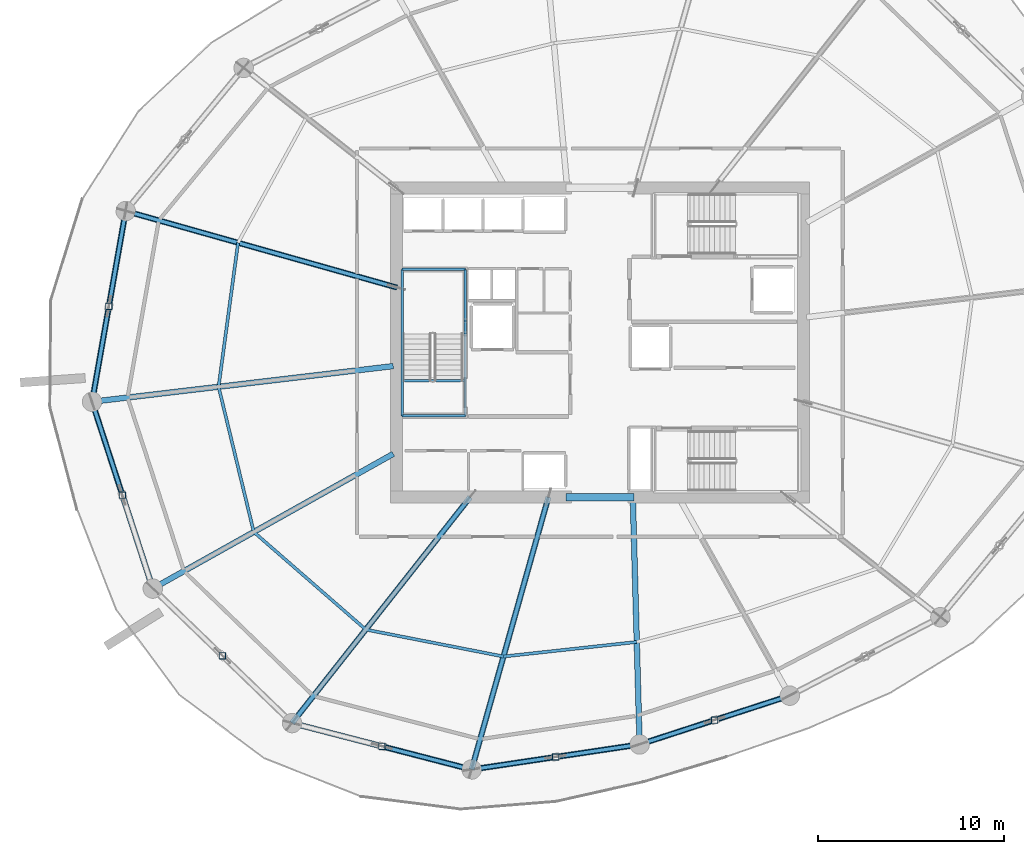
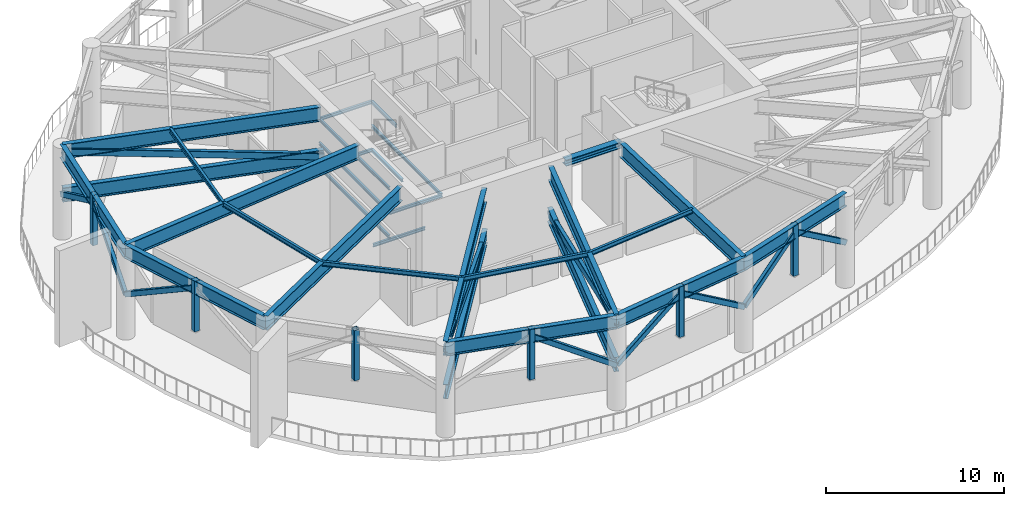
# One storey, part 5 of 20: 30 beams, 17 members.
"""IFC4 building model written with IfcOpenShell, lengths in metres."""

from ifc_helpers import new_model, si_unit, direction, frame, origin, origin_2d, place, context, subcontext, project, spatial, hollow_rectangle, i_section, extrude, material, material_profile, profile_set, type_object, element, save


model = new_model("IFC4")

# Units and contexts
model_context = context("Model", 3, precision=1e-05, world=origin(), true_north=direction((0.0, 1.0)))
body_context = subcontext(model_context, "Body", "Model", "MODEL_VIEW")
ifc_project = project(units=[si_unit("LENGTHUNIT", "METRE"), si_unit("AREAUNIT", "SQUARE_METRE"), si_unit("VOLUMEUNIT", "CUBIC_METRE"), si_unit("PLANEANGLEUNIT", "RADIAN"), si_unit("MASSUNIT", "GRAM", prefix="KILO")], contexts=[model_context])

# Site, building, storey
site_placement = place(None, origin())
site = spatial("IfcSite", under=ifc_project, at=site_placement, CompositionType="ELEMENT")
building_placement = place(site_placement, origin())
building = spatial("IfcBuilding", under=site, at=building_placement, Name="Kazma Halo Residences", CompositionType="ELEMENT")
storey_placement = place(building_placement, frame((0.0, 0.0, 225.300048828125)))
storey = spatial("IfcBuildingStorey", under=building, at=storey_placement, Name="L57", CompositionType="ELEMENT", Elevation=225.300048828125)

# Beams
ifc_material = material(Name="Steel S355", Category="steel")
ifc_material_profile_1 = material_profile(ifc_material, i_section(OverallWidth=0.30908203125, OverallDepth=0.931884765625, WebThickness=0.02099609375, FlangeThickness=0.034423828125, FilletRadius=0.02392578125, at=origin_2d()), Name="W920x313")
ifc_profile_set_1 = profile_set([ifc_material_profile_1], Name="Steel S355")
beam_type_1 = type_object("IfcBeamType", Name="BM-BELT-W920A", PredefinedType="BEAM", material=ifc_profile_set_1)
beam_1_placement = place(storey_placement, frame((22.89453125, 49.080322265625, 5.81396484375), z_axis=(-0.173635695552, -0.984809953864, 0.0), x_axis=(0.984809953864, -0.173635695552, 0.0)))
element("IfcBeam", 1, at=beam_1_placement, inside=storey, type_object=beam_type_1, Name="L57 perimeter ring beam 07", PredefinedType="BEAM", context=body_context, shape_type="SweptSolid", body=[
    extrude(i_section(OverallWidth=0.30908203125, OverallDepth=0.931884765625, WebThickness=0.02099609375, FlangeThickness=0.034423828125, FilletRadius=0.02392578125, at=origin_2d()), origin(), (0.0, 0.0, 1.0), 10.424560546875),
])
beam_2_placement = place(storey_placement, frame((21.08447265625, 38.814208984375, 5.81396484375), z_axis=(0.309008812801, -0.951059174611, 0.0), x_axis=(0.951059174611, 0.309008812801, 0.0)))
element("IfcBeam", 2, at=beam_2_placement, inside=storey, type_object=beam_type_1, Name="L57 perimeter ring beam 08", PredefinedType="BEAM", context=body_context, shape_type="SweptSolid", body=[
    extrude(i_section(OverallWidth=0.30908203125, OverallDepth=0.931884765625, WebThickness=0.02099609375, FlangeThickness=0.034423828125, FilletRadius=0.02392578125, at=origin_2d()), origin(), (0.0, 0.0, 1.0), 10.5751953125),
])
beam_3_placement = place(storey_placement, frame((31.85107421875, 21.51513671875, 5.81396484375), z_axis=(0.968126571525, -0.25046145713, 0.0), x_axis=(0.25046145713, 0.968126571525, 0.0)))
element("IfcBeam", 3, at=beam_3_placement, inside=storey, type_object=beam_type_1, Name="L57 perimeter ring beam 10", PredefinedType="BEAM", context=body_context, shape_type="SweptSolid", body=[
    extrude(i_section(OverallWidth=0.30908203125, OverallDepth=0.931884765625, WebThickness=0.02099609375, FlangeThickness=0.034423828125, FilletRadius=0.02392578125, at=origin_2d()), origin(), (0.0, 0.0, 1.0), 9.984619140625),
])
beam_4_placement = place(storey_placement, frame((41.517333984375, 19.014404296875, 5.81396484375), z_axis=(0.989035230402, 0.147679765114, 0.0), x_axis=(-0.147679765114, 0.989035230402, 0.0)))
element("IfcBeam", 4, at=beam_4_placement, inside=storey, type_object=beam_type_1, Name="L57 perimeter ring beam 11", PredefinedType="BEAM", context=body_context, shape_type="SweptSolid", body=[
    extrude(i_section(OverallWidth=0.30908203125, OverallDepth=0.931884765625, WebThickness=0.02099609375, FlangeThickness=0.034423828125, FilletRadius=0.02392578125, at=origin_2d()), origin(), (0.0, 0.0, 1.0), 9.143798828125),
])
beam_5_placement = place(storey_placement, frame((50.560791015625, 20.36474609375, 5.81396484375), z_axis=(0.951051374236, 0.309032819556, 0.0), x_axis=(-0.309032819556, 0.951051374236, 0.0)))
element("IfcBeam", 5, at=beam_5_placement, inside=storey, type_object=beam_type_1, Name="L57 perimeter ring beam 12", PredefinedType="BEAM", context=body_context, shape_type="SweptSolid", body=[
    extrude(i_section(OverallWidth=0.30908203125, OverallDepth=0.931884765625, WebThickness=0.02099609375, FlangeThickness=0.034423828125, FilletRadius=0.02392578125, at=origin_2d()), origin(), (0.0, 0.0, 1.0), 8.50048828125),
])
ifc_material_profile_2 = material_profile(ifc_material, i_section(OverallWidth=0.408935546875, OverallDepth=0.425048828125, WebThickness=0.03271484375, FlangeThickness=0.052490234375, FilletRadius=0.02001953125, at=origin_2d()), Name="W360x421")
ifc_profile_set_2 = profile_set([ifc_material_profile_2], Name="Steel S355")
beam_type_2 = type_object("IfcBeamType", Name="BM-CORE-W360H", PredefinedType="BEAM", material=ifc_profile_set_2)
beam_6_placement = place(storey_placement, frame((46.60009765625, 33.675048828125, 6.0673828125), z_axis=(1.0, 0.0, 0.0), x_axis=(0.0, 1.0, 0.0)))
element("IfcBeam", 6, at=beam_6_placement, inside=storey, type_object=beam_type_2, Name="L57 core coupling beam S", PredefinedType="BEAM", context=body_context, shape_type="SweptSolid", body=[
    extrude(i_section(OverallWidth=0.408935546875, OverallDepth=0.425048828125, WebThickness=0.03271484375, FlangeThickness=0.052490234375, FilletRadius=0.02001953125, at=origin_2d()), origin(), (0.0, 0.0, 1.0), 3.64990234375),
])
ifc_material_profile_3 = material_profile(ifc_material, i_section(OverallWidth=0.300048828125, OverallDepth=0.98193359375, WebThickness=0.0166015625, FlangeThickness=0.032958984375, FilletRadius=0.02587890625, at=origin_2d()), Name="W1000x296")
ifc_profile_set_3 = profile_set([ifc_material_profile_3], Name="Steel S355")
beam_type_3 = type_object("IfcBeamType", Name="BM-OUTR-W1000C", PredefinedType="BEAM", material=ifc_profile_set_3)
beam_7_placement = place(storey_placement, frame((37.300048828125, 45.017578125, 5.7890625), z_axis=(-0.962455795011, 0.271438469363, 0.0), x_axis=(-0.271438469363, -0.962455795011, 0.0)))
element("IfcBeam", 7, at=beam_7_placement, inside=storey, type_object=beam_type_3, Name="L57 radial floor beam 07", PredefinedType="BEAM", context=body_context, shape_type="SweptSolid", body=[
    extrude(i_section(OverallWidth=0.300048828125, OverallDepth=0.98193359375, WebThickness=0.0166015625, FlangeThickness=0.032958984375, FilletRadius=0.02587890625, at=origin_2d()), origin(), (0.0, 0.0, 1.0), 14.967529296875),
])
beam_8_placement = place(storey_placement, frame((37.300048828125, 40.733642578125, 5.7890625), z_axis=(-0.993067072421, -0.117549094738, 0.0), x_axis=(0.117549094738, -0.993067072421, 0.0)))
element("IfcBeam", 8, at=beam_8_placement, inside=storey, type_object=beam_type_3, Name="L57 radial floor beam 08", PredefinedType="BEAM", context=body_context, shape_type="SweptSolid", body=[
    extrude(i_section(OverallWidth=0.300048828125, OverallDepth=0.98193359375, WebThickness=0.0166015625, FlangeThickness=0.032958984375, FilletRadius=0.02587890625, at=origin_2d()), origin(), (0.0, 0.0, 1.0), 16.328857421875),
])
beam_9_placement = place(storey_placement, frame((37.300048828125, 36.0078125, 5.7890625), z_axis=(-0.87249226923, -0.488627915835, 0.0), x_axis=(0.488627915835, -0.87249226923, 0.0)))
element("IfcBeam", 9, at=beam_9_placement, inside=storey, type_object=beam_type_3, Name="L57 radial floor beam 09", PredefinedType="BEAM", context=body_context, shape_type="SweptSolid", body=[
    extrude(i_section(OverallWidth=0.300048828125, OverallDepth=0.98193359375, WebThickness=0.0166015625, FlangeThickness=0.032958984375, FilletRadius=0.02587890625, at=origin_2d()), origin(), (0.0, 0.0, 1.0), 14.83984375),
])
beam_10_placement = place(storey_placement, frame((41.299072265625, 33.5, 5.7890625), z_axis=(-0.619089651904, -0.785320318663, 0.0), x_axis=(0.785320318663, -0.619089651904, 0.0)))
element("IfcBeam", 10, at=beam_10_placement, inside=storey, type_object=beam_type_3, Name="L57 radial floor beam 10", PredefinedType="BEAM", context=body_context, shape_type="SweptSolid", body=[
    extrude(i_section(OverallWidth=0.300048828125, OverallDepth=0.98193359375, WebThickness=0.0166015625, FlangeThickness=0.032958984375, FilletRadius=0.02587890625, at=origin_2d()), origin(), (0.0, 0.0, 1.0), 15.26123046875),
])
beam_11_placement = place(storey_placement, frame((45.602783203125, 33.5, 5.7890625), z_axis=(-0.27144590968, -0.96245369661, 0.0), x_axis=(0.96245369661, -0.27144590968, 0.0)))
element("IfcBeam", 11, at=beam_11_placement, inside=storey, type_object=beam_type_3, Name="L57 radial floor beam 11", PredefinedType="BEAM", context=body_context, shape_type="SweptSolid", body=[
    extrude(i_section(OverallWidth=0.300048828125, OverallDepth=0.98193359375, WebThickness=0.0166015625, FlangeThickness=0.032958984375, FilletRadius=0.02587890625, at=origin_2d()), origin(), (0.0, 0.0, 1.0), 15.05078125),
])
beam_12_placement = place(storey_placement, frame((50.199951171875, 33.5, 5.7890625), z_axis=(0.027460737906, -0.999622882828, 0.0), x_axis=(0.999622882828, 0.027460737906, 0.0)))
element("IfcBeam", 12, at=beam_12_placement, inside=storey, type_object=beam_type_3, Name="L57 radial floor beam 12", PredefinedType="BEAM", context=body_context, shape_type="SweptSolid", body=[
    extrude(i_section(OverallWidth=0.300048828125, OverallDepth=0.98193359375, WebThickness=0.0166015625, FlangeThickness=0.032958984375, FilletRadius=0.02587890625, at=origin_2d()), origin(), (0.0, 0.0, 1.0), 13.14013671875),
])
beam_13_placement = place(storey_placement, frame((37.47509765625, 44.968505859375, 2.820068359375), z_axis=(-0.962460903143, 0.271420356497, 0.0), x_axis=(-0.271420356497, -0.962460903143, 0.0)))
element("IfcBeam", 13, at=beam_13_placement, inside=storey, type_object=beam_type_3, Name="L57 radial outrigger bottom chord 04", PredefinedType="BEAM", context=body_context, shape_type="SweptSolid", body=[
    extrude(i_section(OverallWidth=0.300048828125, OverallDepth=0.98193359375, WebThickness=0.0166015625, FlangeThickness=0.032958984375, FilletRadius=0.02587890625, at=origin_2d()), origin(), (0.0, 0.0, 1.0), 15.149169921875),
])
beam_14_placement = place(storey_placement, frame((41.43701171875, 33.675048828125, 2.820068359375), z_axis=(-0.61908740697, -0.785322088401, 0.0), x_axis=(0.785322088401, -0.61908740697, 0.0)))
element("IfcBeam", 14, at=beam_14_placement, inside=storey, type_object=beam_type_3, Name="L57 radial outrigger bottom chord 05", PredefinedType="BEAM", context=body_context, shape_type="SweptSolid", body=[
    extrude(i_section(OverallWidth=0.300048828125, OverallDepth=0.98193359375, WebThickness=0.0166015625, FlangeThickness=0.032958984375, FilletRadius=0.02587890625, at=origin_2d()), origin(), (0.0, 0.0, 1.0), 15.48388671875),
])
beam_15_placement = place(storey_placement, frame((45.652099609375, 33.675048828125, 2.820068359375), z_axis=(-0.271442653752, -0.962454614891, 0.0), x_axis=(0.962454614891, -0.271442653752, 0.0)))
element("IfcBeam", 15, at=beam_15_placement, inside=storey, type_object=beam_type_3, Name="L57 radial outrigger bottom chord 06", PredefinedType="BEAM", context=body_context, shape_type="SweptSolid", body=[
    extrude(i_section(OverallWidth=0.300048828125, OverallDepth=0.98193359375, WebThickness=0.0166015625, FlangeThickness=0.032958984375, FilletRadius=0.02587890625, at=origin_2d()), origin(), (0.0, 0.0, 1.0), 15.232666015625),
])
ifc_material_profile_4 = material_profile(ifc_material, i_section(OverallWidth=0.1650390625, OverallDepth=0.31005859375, WebThickness=0.005859375, FlangeThickness=0.009765625, FilletRadius=0.011962890625, at=origin_2d()), Name="W310x38.7")
ifc_profile_set_4 = profile_set([ifc_material_profile_4], Name="Steel S355")
beam_type_4 = type_object("IfcBeamType", Name="BM-SEC-W310B", PredefinedType="JOIST", material=ifc_profile_set_4)
beam_16_placement = place(storey_placement, frame((28.94482421875, 47.3740234375, 6.125), z_axis=(-0.134170488154, -0.990958263555, 0.0), x_axis=(0.990958263555, -0.134170488154, 0.0)))
element("IfcBeam", 16, at=beam_16_placement, inside=storey, type_object=beam_type_4, Name="L57 circumferential floor joist 07", PredefinedType="JOIST", context=body_context, shape_type="SweptSolid", body=[
    extrude(i_section(OverallWidth=0.1650390625, OverallDepth=0.31005859375, WebThickness=0.005859375, FlangeThickness=0.009765625, FilletRadius=0.011962890625, at=origin_2d()), origin(), (0.0, 0.0, 1.0), 7.824462890625),
])
beam_17_placement = place(storey_placement, frame((27.89501953125, 39.620361328125, 6.125), z_axis=(0.235588734072, -0.971852842964, 0.0), x_axis=(0.971852842964, 0.235588734072, 0.0)))
element("IfcBeam", 17, at=beam_17_placement, inside=storey, type_object=beam_type_4, Name="L57 circumferential floor joist 08", PredefinedType="JOIST", context=body_context, shape_type="SweptSolid", body=[
    extrude(i_section(OverallWidth=0.1650390625, OverallDepth=0.31005859375, WebThickness=0.005859375, FlangeThickness=0.009765625, FilletRadius=0.011962890625, at=origin_2d()), origin(), (0.0, 0.0, 1.0), 8.044677734375),
])
beam_18_placement = place(storey_placement, frame((29.790283203125, 31.802001953125, 6.125), z_axis=(0.753953786557, -0.656927460026, 0.0), x_axis=(0.656927460026, 0.753953786557, 0.0)))
element("IfcBeam", 18, at=beam_18_placement, inside=storey, type_object=beam_type_4, Name="L57 circumferential floor joist 09", PredefinedType="JOIST", context=body_context, shape_type="SweptSolid", body=[
    extrude(i_section(OverallWidth=0.1650390625, OverallDepth=0.31005859375, WebThickness=0.005859375, FlangeThickness=0.009765625, FilletRadius=0.011962890625, at=origin_2d()), origin(), (0.0, 0.0, 1.0), 7.99658203125),
])
beam_19_placement = place(storey_placement, frame((35.8193359375, 26.548828125, 6.125), z_axis=(0.981396096727, -0.191994013786, 0.0), x_axis=(0.191994013786, 0.981396096727, 0.0)))
element("IfcBeam", 19, at=beam_19_placement, inside=storey, type_object=beam_type_4, Name="L57 circumferential floor joist 10", PredefinedType="JOIST", context=body_context, shape_type="SweptSolid", body=[
    extrude(i_section(OverallWidth=0.1650390625, OverallDepth=0.31005859375, WebThickness=0.005859375, FlangeThickness=0.009765625, FilletRadius=0.011962890625, at=origin_2d()), origin(), (0.0, 0.0, 1.0), 7.5546875),
])
beam_20_placement = place(storey_placement, frame((43.2333984375, 25.098388671875, 6.125), z_axis=(0.994096341122, 0.108500988783, 0.0), x_axis=(-0.108500988783, 0.994096341122, 0.0)))
element("IfcBeam", 20, at=beam_20_placement, inside=storey, type_object=beam_type_4, Name="L57 circumferential floor joist 11", PredefinedType="JOIST", context=body_context, shape_type="SweptSolid", body=[
    extrude(i_section(OverallWidth=0.1650390625, OverallDepth=0.31005859375, WebThickness=0.005859375, FlangeThickness=0.009765625, FilletRadius=0.011962890625, at=origin_2d()), origin(), (0.0, 0.0, 1.0), 7.218505859375),
])
ifc_material_profile_5 = material_profile(ifc_material, i_section(OverallWidth=0.133056640625, OverallDepth=0.20703125, WebThickness=0.005859375, FlangeThickness=0.00830078125, FilletRadius=0.010009765625, at=origin_2d()), Name="W200x26.6")
ifc_profile_set_5 = profile_set([ifc_material_profile_5], Name="Steel S355")
beam_type_5 = type_object("IfcBeamType", Name="BM-TRIM-W200", PredefinedType="BEAM", material=ifc_profile_set_5)
beam_21_placement = place(storey_placement, frame((37.800048828125, 39.949951171875, -0.39013671875), z_axis=(1.0, 0.0, 0.0), x_axis=(0.0, 1.0, 0.0)))
element("IfcBeam", 21, at=beam_21_placement, inside=storey, type_object=beam_type_5, Name="L57 ST-01 floor landing support beam", PredefinedType="BEAM", context=body_context, shape_type="SweptSolid", body=[
    extrude(i_section(OverallWidth=0.133056640625, OverallDepth=0.20703125, WebThickness=0.005859375, FlangeThickness=0.00830078125, FilletRadius=0.010009765625, at=origin_2d()), origin(), (0.0, 0.0, 1.0), 3.3798828125),
])
beam_22_placement = place(storey_placement, frame((37.780029296875, 38.06005859375, 1.344970703125), z_axis=(0.0, 1.0, 0.0), x_axis=(-1.0, 0.0, 0.0)))
element("IfcBeam", 22, at=beam_22_placement, inside=storey, type_object=beam_type_5, Name="L57 ST-01 landing west wall ledger", PredefinedType="BEAM", context=body_context, shape_type="SweptSolid", body=[
    extrude(i_section(OverallWidth=0.133056640625, OverallDepth=0.20703125, WebThickness=0.005859375, FlangeThickness=0.00830078125, FilletRadius=0.010009765625, at=origin_2d()), origin(), (0.0, 0.0, 1.0), 7.8798828125),
])
beam_23_placement = place(storey_placement, frame((41.179931640625, 42.469970703125, 1.344970703125), z_axis=(0.0, 1.0, 0.0), x_axis=(-1.0, 0.0, 0.0)))
element("IfcBeam", 23, at=beam_23_placement, inside=storey, type_object=beam_type_5, Name="L57 ST-01 landing east wall ledger", PredefinedType="BEAM", context=body_context, shape_type="SweptSolid", body=[
    extrude(i_section(OverallWidth=0.133056640625, OverallDepth=0.20703125, WebThickness=0.005859375, FlangeThickness=0.00830078125, FilletRadius=0.010009765625, at=origin_2d()), origin(), (0.0, 0.0, 1.0), 3.469970703125),
])
beam_24_placement = place(storey_placement, frame((37.780029296875, 45.93994140625, 1.344970703125), z_axis=(1.0, 0.0, 0.0), x_axis=(0.0, 1.0, 0.0)))
element("IfcBeam", 24, at=beam_24_placement, inside=storey, type_object=beam_type_5, Name="L57 ST-01 landing end wall ledger", PredefinedType="BEAM", context=body_context, shape_type="SweptSolid", body=[
    extrude(i_section(OverallWidth=0.133056640625, OverallDepth=0.20703125, WebThickness=0.005859375, FlangeThickness=0.00830078125, FilletRadius=0.010009765625, at=origin_2d()), origin(), (0.0, 0.0, 1.0), 3.39990234375),
])
for number, where, z_axis, x_axis, name in (
    (25, (37.780029296875, 38.06005859375, 2.994873046875), (0.0, 1.0, 0.0), (-1.0, 0.0, 0.0), "L57 ST-01 landing west wall ledger"),
    (26, (41.179931640625, 38.06005859375, 2.994873046875), (0.0, 1.0, 0.0), (-1.0, 0.0, 0.0), "L57 ST-01 landing east wall ledger"),
):
    element("IfcBeam", number, at=place(storey_placement, frame(where, z_axis=z_axis, x_axis=x_axis)), inside=storey, type_object=beam_type_5, Name=name, PredefinedType="BEAM", context=body_context, shape_type="SweptSolid", body=[
        extrude(i_section(OverallWidth=0.133056640625, OverallDepth=0.20703125, WebThickness=0.005859375, FlangeThickness=0.00830078125, FilletRadius=0.010009765625, at=origin_2d()), origin(), (0.0, 0.0, 1.0), 7.8798828125),
    ])
beam_25_placement = place(storey_placement, frame((37.780029296875, 38.06005859375, 2.994873046875), z_axis=(1.0, 0.0, 0.0), x_axis=(0.0, 1.0, 0.0)))
element("IfcBeam", 27, at=beam_25_placement, inside=storey, type_object=beam_type_5, Name="L57 ST-01 landing end wall ledger", PredefinedType="BEAM", context=body_context, shape_type="SweptSolid", body=[
    extrude(i_section(OverallWidth=0.133056640625, OverallDepth=0.20703125, WebThickness=0.005859375, FlangeThickness=0.00830078125, FilletRadius=0.010009765625, at=origin_2d()), origin(), (0.0, 0.0, 1.0), 3.39990234375),
])
beam_26_placement = place(storey_placement, frame((37.780029296875, 38.06005859375, 4.64501953125), z_axis=(0.0, 1.0, 0.0), x_axis=(-1.0, 0.0, 0.0)))
element("IfcBeam", 28, at=beam_26_placement, inside=storey, type_object=beam_type_5, Name="L57 ST-01 landing west wall ledger", PredefinedType="BEAM", context=body_context, shape_type="SweptSolid", body=[
    extrude(i_section(OverallWidth=0.133056640625, OverallDepth=0.20703125, WebThickness=0.005859375, FlangeThickness=0.00830078125, FilletRadius=0.010009765625, at=origin_2d()), origin(), (0.0, 0.0, 1.0), 7.8798828125),
])
beam_27_placement = place(storey_placement, frame((41.179931640625, 43.169921875, 4.64501953125), z_axis=(0.0, 1.0, 0.0), x_axis=(-1.0, 0.0, 0.0)))
element("IfcBeam", 29, at=beam_27_placement, inside=storey, type_object=beam_type_5, Name="L57 ST-01 landing east wall ledger", PredefinedType="BEAM", context=body_context, shape_type="SweptSolid", body=[
    extrude(i_section(OverallWidth=0.133056640625, OverallDepth=0.20703125, WebThickness=0.005859375, FlangeThickness=0.00830078125, FilletRadius=0.010009765625, at=origin_2d()), origin(), (0.0, 0.0, 1.0), 2.77001953125),
])
beam_28_placement = place(storey_placement, frame((37.780029296875, 45.93994140625, 4.64501953125), z_axis=(1.0, 0.0, 0.0), x_axis=(0.0, 1.0, 0.0)))
element("IfcBeam", 30, at=beam_28_placement, inside=storey, type_object=beam_type_5, Name="L57 ST-01 landing end wall ledger", PredefinedType="BEAM", context=body_context, shape_type="SweptSolid", body=[
    extrude(i_section(OverallWidth=0.133056640625, OverallDepth=0.20703125, WebThickness=0.005859375, FlangeThickness=0.00830078125, FilletRadius=0.010009765625, at=origin_2d()), origin(), (0.0, 0.0, 1.0), 3.39990234375),
])

# Members
ifc_material_profile_6 = material_profile(ifc_material, hollow_rectangle(XDim=0.25, YDim=0.35009765625, WallThickness=0.01611328125, InnerFilletRadius=0.01611328125, OuterFilletRadius=0.031982421875, at=origin_2d()), Name="RHS350x250x16")
ifc_profile_set_6 = profile_set([ifc_material_profile_6], Name="Steel S355")
member_type_1 = type_object("IfcMemberType", Name="MBR-BELT-RHS350", PredefinedType="BRACE", material=ifc_profile_set_6)
member_1_placement = place(storey_placement, frame((22.89453125, 49.080322265625, 2.820068359375), z_axis=(-0.15124186127, -0.857757996048, 0.491301454928), x_axis=(0.984808541572, -0.173643705461, 0.0)))
element("IfcMember", 31, at=member_1_placement, inside=storey, type_object=member_type_1, Name="L57 belt-truss chevron diagonal 07A", PredefinedType="BRACE", context=body_context, shape_type="SweptSolid", body=[
    extrude(hollow_rectangle(XDim=0.25, YDim=0.35009765625, WallThickness=0.01611328125, InnerFilletRadius=0.01611328125, OuterFilletRadius=0.031982421875, at=origin_2d()), origin(), (0.0, 0.0, 1.0), 5.98388671875),
])
member_2_placement = place(storey_placement, frame((21.08447265625, 38.814208984375, 2.820068359375), z_axis=(0.15123127626, 0.857779556151, 0.491267070064), x_axis=(-0.984811365961, 0.17362768637, 0.0)))
element("IfcMember", 32, at=member_2_placement, inside=storey, type_object=member_type_1, Name="L57 belt-truss chevron diagonal 07B", PredefinedType="BRACE", context=body_context, shape_type="SweptSolid", body=[
    extrude(hollow_rectangle(XDim=0.25, YDim=0.35009765625, WallThickness=0.01611328125, InnerFilletRadius=0.01611328125, OuterFilletRadius=0.031982421875, at=origin_2d()), origin(), (0.0, 0.0, 1.0), 5.984375),
])
member_3_placement = place(storey_placement, frame((21.08447265625, 38.814208984375, 2.820068359375), z_axis=(0.270089107315, -0.831211031297, 0.48594248174), x_axis=(0.951052389726, 0.30902969436, 0.0)))
element("IfcMember", 33, at=member_3_placement, inside=storey, type_object=member_type_1, Name="L57 belt-truss chevron diagonal 08A", PredefinedType="BRACE", context=body_context, shape_type="SweptSolid", body=[
    extrude(hollow_rectangle(XDim=0.25, YDim=0.35009765625, WallThickness=0.01611328125, InnerFilletRadius=0.01611328125, OuterFilletRadius=0.031982421875, at=origin_2d()), origin(), (0.0, 0.0, 1.0), 6.050048828125),
])
member_4_placement = place(storey_placement, frame((41.517333984375, 19.014404296875, 2.820068359375), z_axis=(-0.834221204297, 0.21583477337, 0.507435052894), x_axis=(-0.25047844558, -0.968122176329, 0.0)))
element("IfcMember", 34, at=member_4_placement, inside=storey, type_object=member_type_1, Name="L57 belt-truss chevron diagonal 10B", PredefinedType="BRACE", context=body_context, shape_type="SweptSolid", body=[
    extrude(hollow_rectangle(XDim=0.25, YDim=0.35009765625, WallThickness=0.01611328125, InnerFilletRadius=0.01611328125, OuterFilletRadius=0.031982421875, at=origin_2d()), origin(), (0.0, 0.0, 1.0), 5.793701171875),
])
for number, where, z_axis, x_axis, name in (
    (35, (41.517333984375, 19.014404296875, 2.820068359375), (0.831879162997, 0.124236151658, 0.540871922726), (-0.147705883016, 0.989031330203, 0.0), "L57 belt-truss chevron diagonal 11A"),
    (36, (50.560791015625, 20.36474609375, 2.820068359375), (-0.831883804185, -0.124191929084, 0.540874940338), (0.147653646903, -0.989039129942, 0.0), "L57 belt-truss chevron diagonal 11B"),
):
    element("IfcMember", number, at=place(storey_placement, frame(where, z_axis=z_axis, x_axis=x_axis)), inside=storey, type_object=member_type_1, Name=name, PredefinedType="BRACE", context=body_context, shape_type="SweptSolid", body=[
        extrude(hollow_rectangle(XDim=0.25, YDim=0.35009765625, WallThickness=0.01611328125, InnerFilletRadius=0.01611328125, OuterFilletRadius=0.031982421875, at=origin_2d()), origin(), (0.0, 0.0, 1.0), 5.435546875),
    ])
member_5_placement = place(storey_placement, frame((50.560791015625, 20.36474609375, 2.820068359375), z_axis=(0.782149205111, 0.254165421811, 0.568895912536), x_axis=(-0.309049702703, 0.951045888093, 0.0)))
element("IfcMember", 37, at=member_5_placement, inside=storey, type_object=member_type_1, Name="L57 belt-truss chevron diagonal 12A", PredefinedType="BRACE", context=body_context, shape_type="SweptSolid", body=[
    extrude(hollow_rectangle(XDim=0.25, YDim=0.35009765625, WallThickness=0.01611328125, InnerFilletRadius=0.01611328125, OuterFilletRadius=0.031982421875, at=origin_2d()), origin(), (0.0, 0.0, 1.0), 5.167724609375),
])
member_6_placement = place(storey_placement, frame((58.645263671875, 22.99169921875, 2.820068359375), z_axis=(-0.78218588426, -0.254146639529, 0.568853872343), x_axis=(0.309015938157, -0.95105685948, 0.0)))
element("IfcMember", 38, at=member_6_placement, inside=storey, type_object=member_type_1, Name="L57 belt-truss chevron diagonal 12B", PredefinedType="BRACE", context=body_context, shape_type="SweptSolid", body=[
    extrude(hollow_rectangle(XDim=0.25, YDim=0.35009765625, WallThickness=0.01611328125, InnerFilletRadius=0.01611328125, OuterFilletRadius=0.031982421875, at=origin_2d()), origin(), (0.0, 0.0, 1.0), 5.168212890625),
])
ifc_material_profile_7 = material_profile(ifc_material, hollow_rectangle(XDim=0.25, YDim=0.449951171875, WallThickness=0.01611328125, InnerFilletRadius=0.01611328125, OuterFilletRadius=0.031982421875, at=origin_2d()), Name="RHS450x250x16")
ifc_profile_set_7 = profile_set([ifc_material_profile_7], Name="Steel S355")
member_type_2 = type_object("IfcMemberType", Name="MBR-OUTR-RHS450", PredefinedType="BRACE", material=ifc_profile_set_7)
member_7_placement = place(storey_placement, frame((37.47509765625, 44.968505859375, 2.820068359375), z_axis=(-0.944833529693, 0.266449320302, 0.1905107894), x_axis=(-0.271420356497, -0.962460903143, 0.0)))
element("IfcMember", 39, at=member_7_placement, inside=storey, type_object=member_type_2, Name="L57 radial outrigger truss brace 04", PredefinedType="BRACE", context=body_context, shape_type="SweptSolid", body=[
    extrude(hollow_rectangle(XDim=0.25, YDim=0.449951171875, WallThickness=0.01611328125, InnerFilletRadius=0.01611328125, OuterFilletRadius=0.031982421875, at=origin_2d()), origin(), (0.0, 0.0, 1.0), 15.431884765625),
])
member_8_placement = place(storey_placement, frame((41.43701171875, 33.675048828125, 2.820068359375), z_axis=(-0.608221115735, -0.771538027491, 0.186537252335), x_axis=(0.785322088401, -0.61908740697, 0.0)))
element("IfcMember", 40, at=member_8_placement, inside=storey, type_object=member_type_2, Name="L57 radial outrigger truss brace 05", PredefinedType="BRACE", context=body_context, shape_type="SweptSolid", body=[
    extrude(hollow_rectangle(XDim=0.25, YDim=0.449951171875, WallThickness=0.01611328125, InnerFilletRadius=0.01611328125, OuterFilletRadius=0.031982421875, at=origin_2d()), origin(), (0.0, 0.0, 1.0), 15.760498046875),
])
member_9_placement = place(storey_placement, frame((45.652099609375, 33.675048828125, 2.820068359375), z_axis=(-0.266523969388, -0.94501442854, 0.189506473747), x_axis=(0.962454614891, -0.271442653752, 0.0)))
element("IfcMember", 41, at=member_9_placement, inside=storey, type_object=member_type_2, Name="L57 radial outrigger truss brace 06", PredefinedType="BRACE", context=body_context, shape_type="SweptSolid", body=[
    extrude(hollow_rectangle(XDim=0.25, YDim=0.449951171875, WallThickness=0.01611328125, InnerFilletRadius=0.01611328125, OuterFilletRadius=0.031982421875, at=origin_2d()), origin(), (0.0, 0.0, 1.0), 15.513671875),
])
ifc_material_profile_8 = material_profile(ifc_material, hollow_rectangle(XDim=0.35009765625, YDim=0.35009765625, WallThickness=0.01611328125, InnerFilletRadius=0.01611328125, OuterFilletRadius=0.031982421875, at=origin_2d()), Name="SHS350x350x16")
ifc_profile_set_8 = profile_set([ifc_material_profile_8], Name="Steel S355")
member_type_3 = type_object("IfcMemberType", Name="MBR-POST-SHS350", PredefinedType="STRUT", material=ifc_profile_set_8)
for number, where, z_axis, x_axis, name in (
    (42, (21.989501953125, 43.947509765625, 2.820068359375), (0.0, 0.0, 1.0), (1.0, 0.0, 0.0), "L57 belt-truss web post 07"),
    (43, (22.718505859375, 33.785400390625, 2.820068359375), (0.0, 0.0, 1.0), (1.0, 0.0, 0.0), "L57 belt-truss web post 08"),
    (44, (28.101806640625, 25.135986328125, 2.820068359375), (0.0, 0.0, 1.0), (1.0, 0.0, 0.0), "L57 belt-truss web post 09"),
    (45, (36.68408203125, 20.264892578125, 2.820068359375), (0.0, 0.0, 1.0), (1.0, 0.0, 0.0), "L57 belt-truss web post 10"),
    (46, (46.0390625, 19.689697265625, 2.820068359375), (0.0, 0.0, 1.0), (1.0, 0.0, 0.0), "L57 belt-truss web post 11"),
    (47, (54.602783203125, 21.67822265625, 2.820068359375), (0.0, 0.0, 1.0), (1.0, 0.0, 0.0), "L57 belt-truss web post 12"),
):
    element("IfcMember", number, at=place(storey_placement, frame(where, z_axis=z_axis, x_axis=x_axis)), inside=storey, type_object=member_type_3, Name=name, PredefinedType="STRUT", context=body_context, shape_type="SweptSolid", body=[
        extrude(hollow_rectangle(XDim=0.35009765625, YDim=0.35009765625, WallThickness=0.01611328125, InnerFilletRadius=0.01611328125, OuterFilletRadius=0.031982421875, at=origin_2d()), origin(), (0.0, 0.0, 1.0), 3.4599609375),
    ])

save(model, "model.ifc")
